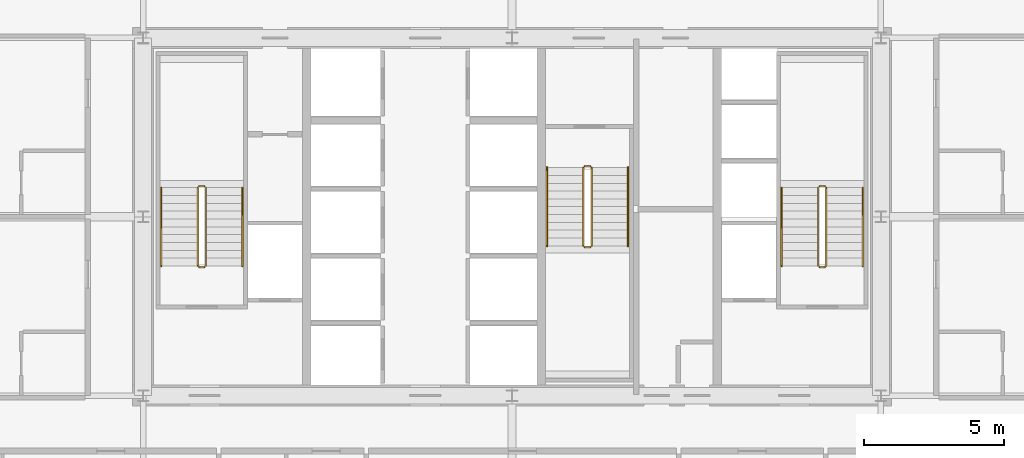
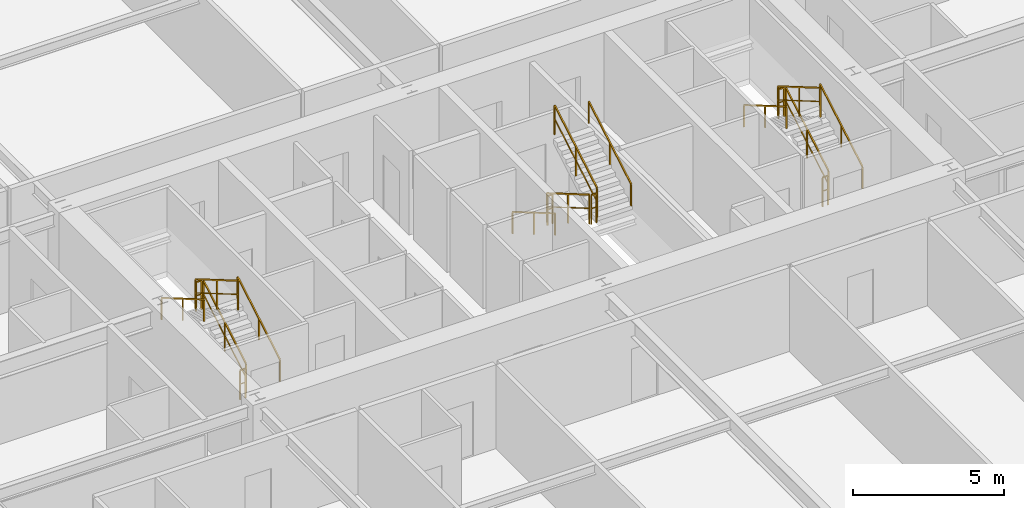
# One storey, part 39 of 39: 18 railings.
"""IFC4 building model written with IfcOpenShell, lengths in metres."""

import ifcopenshell
import ifcopenshell.guid

model = None  # the IFC model being written
_history = None  # IfcOwnerHistory: only IFC2X3 demands one
_inside = {}  # id of a spatial element -> (the spatial element, [elements in it])
_under = {}  # id of a project, library or spatial element -> (it, [spatial elements below it])
_declared = {}  # id of a project -> (the project, [libraries it declares])
_typed = {}  # id of a type object -> (the type object, [elements of that type])
_made_of = {}  # id of a material, layer set ... -> (it, [elements and type objects made of it])


def new_model(schema):
    """Start an empty IFC model of exactly this schema.

    Asked for "IFC4X3", IfcOpenShell would pick the latest addendum, in which some entities
    have other attributes; the version numbers below select the first issue.
    IFC2X3 requires an IfcOwnerHistory on every rooted entity: one is made here for all.
    """
    global model, _history
    if schema == "IFC4X3":
        model = ifcopenshell.file(schema_version=(4, 3, 0, 0))
    else:
        model = ifcopenshell.file(schema=schema)
    _inside.clear()
    _under.clear()
    _declared.clear()
    _typed.clear()
    _made_of.clear()
    _history = None
    if model.schema == "IFC2X3":
        org = make("IfcOrganization", Name="unknown")
        user = make(
            "IfcPersonAndOrganization",
            ThePerson=make("IfcPerson", FamilyName="unknown"),
            TheOrganization=org,
        )
        app = make(
            "IfcApplication",
            ApplicationDeveloper=org,
            Version="unknown",
            ApplicationFullName="unknown",
            ApplicationIdentifier="unknown",
        )
        _history = make(
            "IfcOwnerHistory",
            OwningUser=user,
            OwningApplication=app,
            ChangeAction="ADDED",
            CreationDate=0,
        )
    return model


def make(cls, **values):
    """One entity of the class cls with the attributes given. An attribute that is None is left unset."""
    return model.create_entity(
        cls, **{name: value for name, value in values.items() if value is not None}
    )


def rooted(cls, **values):
    """An entity with a GlobalId (a new one), such as an element, a storey or a relation."""
    return make(cls, GlobalId=ifcopenshell.guid.new(), OwnerHistory=_history, **values)


def si_unit(unit_type, name, prefix=None):
    """IfcSIUnit, for example si_unit("LENGTHUNIT", "METRE", prefix="MILLI")."""
    return make("IfcSIUnit", UnitType=unit_type, Prefix=prefix, Name=name)


def assignment(units):
    """IfcUnitAssignment: the units of a project."""
    return None if units is None else make("IfcUnitAssignment", Units=units)


def point(xyz):
    """IfcCartesianPoint."""
    return None if xyz is None else make("IfcCartesianPoint", Coordinates=xyz)


def direction(xyz):
    """IfcDirection."""
    return None if xyz is None else make("IfcDirection", DirectionRatios=xyz)


def frame(location, z_axis=None, x_axis=None):
    """IfcAxis2Placement3D, a coordinate frame: its origin and axes. An axis left out is left unset."""
    return make(
        "IfcAxis2Placement3D",
        Location=point(location),
        Axis=direction(z_axis),
        RefDirection=direction(x_axis),
    )


def frame_2d(location, x_axis=None):
    """IfcAxis2Placement2D, a coordinate frame in the plane: its origin and x axis."""
    return make(
        "IfcAxis2Placement2D", Location=point(location), RefDirection=direction(x_axis)
    )


def origin():
    """The frame at (0, 0, 0) with its axes left unset."""
    return frame((0.0, 0.0, 0.0))


def origin_2d():
    """The frame at (0, 0) in the plane with its x axis left unset."""
    return frame_2d((0.0, 0.0))


def place(relative_to, where):
    """IfcLocalPlacement: puts the frame where relative to a parent placement (None: the world)."""
    return make(
        "IfcLocalPlacement", PlacementRelTo=relative_to, RelativePlacement=where
    )


def context(
    kind, dimensions, precision=None, world=None, true_north=None, identifier=None
):
    """IfcGeometricRepresentationContext, for example the 3D "Model" context."""
    return make(
        "IfcGeometricRepresentationContext",
        ContextIdentifier=identifier,
        ContextType=kind,
        CoordinateSpaceDimension=dimensions,
        Precision=precision,
        WorldCoordinateSystem=world,
        TrueNorth=true_north,
    )


def subcontext(parent, identifier, kind, view, scale=None):
    """IfcGeometricRepresentationSubContext, for example "Body" below "Model"."""
    return make(
        "IfcGeometricRepresentationSubContext",
        ContextIdentifier=identifier,
        ContextType=kind,
        ParentContext=parent,
        TargetScale=scale,
        TargetView=view,
    )


def project(units=None, contexts=None):
    """IfcProject with its units and contexts."""
    return rooted(
        "IfcProject",
        Name="project",
        RepresentationContexts=contexts,
        UnitsInContext=assignment(units),
    )


def spatial(cls, under=None, at=None, **own):
    """A site, building, storey or space (cls), placed at a placement, below another one or the project."""
    s = rooted(cls, ObjectPlacement=at, **own)
    if under is not None:
        _under.setdefault(under.id(), (under, []))[1].append(s)
    return s


def profile(cls, at=None, kind="AREA", **sizes):
    """A parametric profile (cls). Its sizes go by their IFC names, for example OverallWidth=200.0."""
    return make(cls, ProfileType=kind, Position=at, **sizes)


def rectangle(**sizes):
    """IfcRectangleProfileDef."""
    return profile("IfcRectangleProfileDef", **sizes)


def extrude(swept, where, along, depth):
    """IfcExtrudedAreaSolid: the profile swept, set in the frame where, extruded along a direction by depth."""
    return make(
        "IfcExtrudedAreaSolid",
        SweptArea=swept,
        Position=where,
        ExtrudedDirection=direction(along),
        Depth=depth,
    )


def shape(context_of_items, identifier, shape_type, items):
    """IfcShapeRepresentation: the items that make up one representation, for example the "Body"."""
    return make(
        "IfcShapeRepresentation",
        ContextOfItems=context_of_items,
        RepresentationIdentifier=identifier,
        RepresentationType=shape_type,
        Items=items,
    )


def source(mapping_origin, context_of_items, identifier, shape_type, items):
    """IfcRepresentationMap: a shape defined once, which mapped items show again and again."""
    return make(
        "IfcRepresentationMap",
        MappingOrigin=mapping_origin,
        MappedRepresentation=shape(context_of_items, identifier, shape_type, items),
    )


def transform(
    local_origin,
    x_axis=None,
    y_axis=None,
    z_axis=None,
    scale=None,
    scale2=None,
    scale3=None,
    uniform=True,
):
    """IfcCartesianTransformationOperator3D, or its non-uniform kind. x_axis, y_axis, z_axis: its Axis1, 2, 3."""
    if uniform:
        return make(
            "IfcCartesianTransformationOperator3D",
            Axis1=direction(x_axis),
            Axis2=direction(y_axis),
            LocalOrigin=point(local_origin),
            Scale=scale,
            Axis3=direction(z_axis),
        )
    return make(
        "IfcCartesianTransformationOperator3DnonUniform",
        Axis1=direction(x_axis),
        Axis2=direction(y_axis),
        LocalOrigin=point(local_origin),
        Scale=scale,
        Axis3=direction(z_axis),
        Scale2=scale2,
        Scale3=scale3,
    )


def mapped(mapping_source, mapping_target):
    """IfcMappedItem: shows the shape of a source again, moved by a transform."""
    return make(
        "IfcMappedItem", MappingSource=mapping_source, MappingTarget=mapping_target
    )


def material(Name=None, Category=None):
    """IfcMaterial."""
    return make("IfcMaterial", Name=Name, Category=Category)


def layer(
    of_material, thickness, ventilated=None, Name=None, Category=None, Priority=None
):
    """IfcMaterialLayer: one layer of a wall or slab, of a material (None: an air gap)."""
    return make(
        "IfcMaterialLayer",
        Material=of_material,
        LayerThickness=thickness,
        IsVentilated=ventilated,
        Name=Name,
        Category=Category,
        Priority=Priority,
    )


def layer_set(layers, Name=None):
    """IfcMaterialLayerSet."""
    return make("IfcMaterialLayerSet", MaterialLayers=layers, LayerSetName=Name)


def made_of(thing, what):
    """Note that an element or type object is made of a material, layer set ...; save() writes the relation."""
    if what is not None:
        _made_of.setdefault(what.id(), (what, []))[1].append(thing)
    return thing


def type_object(cls, material=None, **own):
    """A type object (cls), such as IfcWallType, which elements share."""
    return made_of(rooted(cls, **own), material)


def element(
    cls,
    number,
    at=None,
    inside=None,
    cuts=None,
    type_object=None,
    material=None,
    context=None,
    identifier="Body",
    shape_type=None,
    held_by="IfcProductDefinitionShape",
    body=None,
    shapes=None,
    **own,
):
    """One element of the class cls, such as IfcWall. Its Tag is "e" and its number.

    at: its placement. inside: the storey or other place that contains it. cuts: it is an
    opening in that element (IfcRelVoidsElement). A single representation is given by context,
    identifier, shape_type and body (its items); several are given by shapes. held_by: the class
    of the entity that holds the representations. save() writes the other relations.
    """
    e = rooted(cls, Tag="e%d" % number, ObjectPlacement=at, **own)
    if body is not None:
        shapes = [shape(context, identifier, shape_type, body)]
    if shapes is not None:
        e.Representation = make(held_by, Representations=shapes)
    if inside is not None:
        _inside.setdefault(inside.id(), (inside, []))[1].append(e)
    if cuts is not None:
        rooted(
            "IfcRelVoidsElement", RelatingBuildingElement=cuts, RelatedOpeningElement=e
        )
    if type_object is not None:
        _typed.setdefault(type_object.id(), (type_object, []))[1].append(e)
    return made_of(e, material)


def aggregate(whole, parts):
    """IfcRelAggregates: a whole, such as a stair, and the parts it consists of."""
    return rooted("IfcRelAggregates", RelatingObject=whole, RelatedObjects=parts)


def save(model, path):
    """Write the relations noted so far, then the file.

    IfcRelAggregates (storeys below a building ...), IfcRelContainedInSpatialStructure (elements
    in a storey), IfcRelDefinesByType, IfcRelAssociatesMaterial and IfcRelDeclares: one each for
    every whole, place, type object, material and project.
    """
    for whole, parts in _under.values():
        aggregate(whole, parts)
    for where, things in _inside.values():
        rooted(
            "IfcRelContainedInSpatialStructure",
            RelatedElements=things,
            RelatingStructure=where,
        )
    for kind, things in _typed.values():
        rooted("IfcRelDefinesByType", RelatedObjects=things, RelatingType=kind)
    for what, things in _made_of.values():
        rooted("IfcRelAssociatesMaterial", RelatedObjects=things, RelatingMaterial=what)
    for by, libraries in _declared.values():
        rooted("IfcRelDeclares", RelatingContext=by, RelatedDefinitions=libraries)
    model.write(path)


model = new_model("IFC4")

# Units and contexts
model_context = context("Model", 3, precision=1e-05, world=origin(), true_north=direction((0.0, 1.0)))
body_context = subcontext(model_context, "Body", "Model", "MODEL_VIEW")
ifc_project = project(units=[si_unit("LENGTHUNIT", "METRE"), si_unit("AREAUNIT", "SQUARE_METRE"), si_unit("VOLUMEUNIT", "CUBIC_METRE"), si_unit("PLANEANGLEUNIT", "RADIAN"), si_unit("MASSUNIT", "GRAM", prefix="KILO"), si_unit("THERMODYNAMICTEMPERATUREUNIT", "KELVIN"), si_unit("POWERUNIT", "WATT")], contexts=[model_context])

# Site, building, storey
site_placement = place(None, origin())
site = spatial("IfcSite", under=ifc_project, at=site_placement, CompositionType="ELEMENT")
building_placement = place(site_placement, origin())
building = spatial("IfcBuilding", under=site, at=building_placement, Name="Yuzanri Waterfront Tower", CompositionType="ELEMENT")
storey_placement = place(building_placement, frame((0.0, 0.0, 134.39990234375)))
storey = spatial("IfcBuildingStorey", under=building, at=storey_placement, Name="L35", CompositionType="ELEMENT", Elevation=134.39990234375)

# Railings
ifc_material_1 = material(Name="Painted Galvanized Fire Steel", Category="steel")
ifc_layer_1 = layer(ifc_material_1, 0.06005859375)
ifc_layer_set_1 = layer_set([ifc_layer_1], Name="Painted Galvanized Fire Steel")
railing_type_1 = type_object("IfcRailingType", Name="Painted Steel Stairwell Guardrail 1120", PredefinedType="GUARDRAIL", material=ifc_layer_set_1)
shared_shape_1 = source(origin(), body_context, "Body", "SweptSolid", [
    extrude(rectangle(XDim=0.050048828125, YDim=0.050048828125, at=origin_2d()), frame((0.0, 0.0, 1.1748046875), z_axis=(-1.0, 0.0, 0.0), x_axis=(0.0, -1.0, 0.0)), (0.0, 0.0, 1.0), 0.199951171875),
    extrude(rectangle(XDim=0.035888671875, YDim=0.030029296875, at=origin_2d()), frame((0.0, 0.0, 0.6240234375), z_axis=(-1.0, 0.0, 0.0), x_axis=(0.0, -1.0, 0.0)), (0.0, 0.0, 1.0), 0.199951171875),
    extrude(rectangle(XDim=0.0458984375, YDim=0.0458984375, at=origin_2d()), origin(), (0.0, 0.0, 1.0), 1.14990234375),
    extrude(rectangle(XDim=0.0458984375, YDim=0.0458984375, at=origin_2d()), frame((-0.199951171875, 0.0, 0.0)), (0.0, 0.0, 1.0), 1.14990234375),
])
for number, where, name in (
    (1, (26.0, 26.889892578125, 1.800048828125), "L35 ST-01 stair guard 2"),
    (2, (26.0, 23.989990234375, 0.0), "L35 ST-01 stair guard 4"),
    (3, (48.199951171875, 26.889892578125, 1.800048828125), "L35 ST-02 stair guard 2"),
    (4, (48.199951171875, 23.989990234375, 0.0), "L35 ST-02 stair guard 4"),
):
    element("IfcRailing", number, at=place(storey_placement, frame(where)), inside=storey, type_object=railing_type_1, Name=name, PredefinedType="GUARDRAIL", context=body_context, shape_type="MappedRepresentation", body=[
        mapped(shared_shape_1, transform((0.0, 0.0, 0.0), scale=1.0)),
    ])
shared_shape_2 = source(origin(), body_context, "Body", "SweptSolid", [
    extrude(rectangle(XDim=0.050048828125, YDim=0.050048828125, at=origin_2d()), frame((0.0, 0.0, 1.1748046875), z_axis=(0.0, 0.863393664356, 0.504530851732), x_axis=(-1.0, 0.0, 0.0)), (0.0, 0.0, 1.0), 3.2431640625),
    extrude(rectangle(XDim=0.035888671875, YDim=0.030029296875, at=origin_2d()), frame((0.0, 0.0, 0.6240234375), z_axis=(0.0, 0.863393664356, 0.504530851732), x_axis=(-1.0, 0.0, 0.0)), (0.0, 0.0, 1.0), 3.2431640625),
    extrude(rectangle(XDim=0.0458984375, YDim=0.0458984375, at=origin_2d()), origin(), (0.0, 0.0, 1.0), 1.14990234375),
    extrude(rectangle(XDim=0.0458984375, YDim=0.0458984375, at=origin_2d()), frame((0.0, 1.39990234375, 0.818115234375)), (0.0, 0.0, 1.0), 1.14990234375),
    extrude(rectangle(XDim=0.0458984375, YDim=0.0458984375, at=origin_2d()), frame((0.0, 2.800048828125, 1.63623046875)), (0.0, 0.0, 1.0), 1.14990234375),
])
for number, where, name in (
    (5, (26.050048828125, 24.0400390625, 0.163818359375), "L35 ST-01 stair guard 1"),
    (6, (48.25, 24.0400390625, 0.163818359375), "L35 ST-02 stair guard 1"),
):
    element("IfcRailing", number, at=place(storey_placement, frame(where)), inside=storey, type_object=railing_type_1, Name=name, PredefinedType="GUARDRAIL", context=body_context, shape_type="MappedRepresentation", body=[
        mapped(shared_shape_2, transform((0.0, 0.0, 0.0), scale=1.0)),
    ])
shared_shape_3 = source(origin(), body_context, "Body", "SweptSolid", [
    extrude(rectangle(XDim=0.050048828125, YDim=0.050048828125, at=origin_2d()), frame((0.0, 0.0, 1.1748046875), z_axis=(0.0, -0.863393664356, 0.504530851732), x_axis=(1.0, 0.0, 0.0)), (0.0, 0.0, 1.0), 3.2431640625),
    extrude(rectangle(XDim=0.035888671875, YDim=0.030029296875, at=origin_2d()), frame((0.0, 0.0, 0.6240234375), z_axis=(0.0, -0.863393664356, 0.504530851732), x_axis=(1.0, 0.0, 0.0)), (0.0, 0.0, 1.0), 3.2431640625),
    extrude(rectangle(XDim=0.0458984375, YDim=0.0458984375, at=origin_2d()), origin(), (0.0, 0.0, 1.0), 1.14990234375),
    extrude(rectangle(XDim=0.0458984375, YDim=0.0458984375, at=origin_2d()), frame((0.0, -1.39990234375, 0.818115234375)), (0.0, 0.0, 1.0), 1.14990234375),
    extrude(rectangle(XDim=0.0458984375, YDim=0.0458984375, at=origin_2d()), frame((0.0, -2.800048828125, 1.63623046875)), (0.0, 0.0, 1.0), 1.14990234375),
])
railing_1_placement = place(storey_placement, frame((39.550048828125, 27.56005859375, 0.163818359375)))
element("IfcRailing", 7, at=railing_1_placement, inside=storey, type_object=railing_type_1, Name="L35 ST-03 stair guard 1", PredefinedType="GUARDRAIL", context=body_context, shape_type="MappedRepresentation", body=[
    mapped(shared_shape_3, transform((0.0, 0.0, 0.0), scale=1.0)),
])
ifc_material_2 = material(Name="Anodized Architectural Bronze", Category="metal")
ifc_layer_2 = layer(ifc_material_2, 0.050048828125)
ifc_layer_set_2 = layer_set([ifc_layer_2], Name="Anodized Architectural Bronze")
railing_type_2 = type_object("IfcRailingType", Name="Brushed Bronze Stair Pitch Handrail 920", PredefinedType="HANDRAIL", material=ifc_layer_set_2)
shared_shape_4 = source(origin(), body_context, "Body", "SweptSolid", [
    extrude(rectangle(XDim=0.050048828125, YDim=0.050048828125, at=origin_2d()), frame((0.0, 0.0, 0.875), z_axis=(0.0, 0.863393664356, 0.504530851732), x_axis=(-1.0, 0.0, 0.0)), (0.0, 0.0, 1.0), 3.2431640625),
    extrude(rectangle(XDim=0.0458984375, YDim=0.0458984375, at=origin_2d()), origin(), (0.0, 0.0, 1.0), 0.849853515625),
    extrude(rectangle(XDim=0.0458984375, YDim=0.0458984375, at=origin_2d()), frame((0.0, 1.39990234375, 0.818115234375)), (0.0, 0.0, 1.0), 0.849853515625),
    extrude(rectangle(XDim=0.0458984375, YDim=0.0458984375, at=origin_2d()), frame((0.0, 2.800048828125, 1.63623046875)), (0.0, 0.0, 1.0), 0.849853515625),
])
for number, where, name in (
    (8, (27.35009765625, 24.0400390625, 0.163818359375), "L35 ST-01 stair handrail 1"),
    (9, (49.550048828125, 24.0400390625, 0.163818359375), "L35 ST-02 stair handrail 1"),
):
    element("IfcRailing", number, at=place(storey_placement, frame(where)), inside=storey, type_object=railing_type_2, Name=name, PredefinedType="HANDRAIL", context=body_context, shape_type="MappedRepresentation", body=[
        mapped(shared_shape_4, transform((0.0, 0.0, 0.0), scale=1.0)),
    ])
shared_shape_5 = source(origin(), body_context, "Body", "SweptSolid", [
    extrude(rectangle(XDim=0.050048828125, YDim=0.050048828125, at=origin_2d()), frame((0.0, 0.0, 0.875), z_axis=(0.0, -0.863393664356, 0.504530851732), x_axis=(1.0, 0.0, 0.0)), (0.0, 0.0, 1.0), 3.2431640625),
    extrude(rectangle(XDim=0.0458984375, YDim=0.0458984375, at=origin_2d()), origin(), (0.0, 0.0, 1.0), 0.849853515625),
    extrude(rectangle(XDim=0.0458984375, YDim=0.0458984375, at=origin_2d()), frame((0.0, -1.39990234375, 0.818115234375)), (0.0, 0.0, 1.0), 0.849853515625),
    extrude(rectangle(XDim=0.0458984375, YDim=0.0458984375, at=origin_2d()), frame((0.0, -2.800048828125, 1.63623046875)), (0.0, 0.0, 1.0), 0.849853515625),
])
railing_2_placement = place(storey_placement, frame((38.25, 27.56005859375, 0.163818359375)))
element("IfcRailing", 10, at=railing_2_placement, inside=storey, type_object=railing_type_2, Name="L35 ST-03 stair handrail 1", PredefinedType="HANDRAIL", context=body_context, shape_type="MappedRepresentation", body=[
    mapped(shared_shape_5, transform((0.0, 0.0, 0.0), scale=1.0)),
])
shared_shape_6 = source(origin(), body_context, "Body", "SweptSolid", [
    extrude(rectangle(XDim=0.050048828125, YDim=0.050048828125, at=origin_2d()), frame((0.0, 0.0, 1.1748046875), z_axis=(0.0, 0.863360870873, 0.504586966384), x_axis=(-1.0, 0.0, 0.0)), (0.0, 0.0, 1.0), 3.2431640625),
    extrude(rectangle(XDim=0.035888671875, YDim=0.030029296875, at=origin_2d()), frame((0.0, 0.0, 0.6240234375), z_axis=(0.0, 0.863360870873, 0.504586966384), x_axis=(-1.0, 0.0, 0.0)), (0.0, 0.0, 1.0), 3.2431640625),
    extrude(rectangle(XDim=0.0458984375, YDim=0.0458984375, at=origin_2d()), origin(), (0.0, 0.0, 1.0), 1.14990234375),
    extrude(rectangle(XDim=0.0458984375, YDim=0.0458984375, at=origin_2d()), frame((0.0, 1.39990234375, 0.818359375)), (0.0, 0.0, 1.0), 1.14990234375),
    extrude(rectangle(XDim=0.0458984375, YDim=0.0458984375, at=origin_2d()), frame((0.0, 2.800048828125, 1.636474609375)), (0.0, 0.0, 1.0), 1.14990234375),
])
railing_3_placement = place(storey_placement, frame((39.85009765625, 24.760009765625, 1.963623046875)))
element("IfcRailing", 11, at=railing_3_placement, inside=storey, type_object=railing_type_1, Name="L35 ST-03 stair guard 3", PredefinedType="GUARDRAIL", context=body_context, shape_type="MappedRepresentation", body=[
    mapped(shared_shape_6, transform((0.0, 0.0, 0.0), scale=1.0)),
])
shared_shape_7 = source(origin(), body_context, "Body", "SweptSolid", [
    extrude(rectangle(XDim=0.050048828125, YDim=0.050048828125, at=origin_2d()), frame((0.0, 0.0, 1.1748046875), z_axis=(0.0, -0.863360870873, 0.504586966384), x_axis=(1.0, 0.0, 0.0)), (0.0, 0.0, 1.0), 3.2431640625),
    extrude(rectangle(XDim=0.035888671875, YDim=0.030029296875, at=origin_2d()), frame((0.0, 0.0, 0.6240234375), z_axis=(0.0, -0.863360870873, 0.504586966384), x_axis=(1.0, 0.0, 0.0)), (0.0, 0.0, 1.0), 3.2431640625),
    extrude(rectangle(XDim=0.0458984375, YDim=0.0458984375, at=origin_2d()), origin(), (0.0, 0.0, 1.0), 1.14990234375),
    extrude(rectangle(XDim=0.0458984375, YDim=0.0458984375, at=origin_2d()), frame((0.0, -1.39990234375, 0.818359375)), (0.0, 0.0, 1.0), 1.14990234375),
    extrude(rectangle(XDim=0.0458984375, YDim=0.0458984375, at=origin_2d()), frame((0.0, -2.800048828125, 1.636474609375)), (0.0, 0.0, 1.0), 1.14990234375),
])
for number, where, name in (
    (12, (25.75, 26.840087890625, 1.963623046875), "L35 ST-01 stair guard 3"),
    (13, (47.949951171875, 26.840087890625, 1.963623046875), "L35 ST-02 stair guard 3"),
):
    element("IfcRailing", number, at=place(storey_placement, frame(where)), inside=storey, type_object=railing_type_1, Name=name, PredefinedType="GUARDRAIL", context=body_context, shape_type="MappedRepresentation", body=[
        mapped(shared_shape_7, transform((0.0, 0.0, 0.0), scale=1.0)),
    ])
shared_shape_8 = source(origin(), body_context, "Body", "SweptSolid", [
    extrude(rectangle(XDim=0.050048828125, YDim=0.050048828125, at=origin_2d()), frame((0.0, 0.0, 0.875), z_axis=(0.0, 0.863360870873, 0.504586966384), x_axis=(-1.0, 0.0, 0.0)), (0.0, 0.0, 1.0), 3.2431640625),
    extrude(rectangle(XDim=0.0458984375, YDim=0.0458984375, at=origin_2d()), origin(), (0.0, 0.0, 1.0), 0.849853515625),
    extrude(rectangle(XDim=0.0458984375, YDim=0.0458984375, at=origin_2d()), frame((0.0, 1.39990234375, 0.818359375)), (0.0, 0.0, 1.0), 0.849853515625),
    extrude(rectangle(XDim=0.0458984375, YDim=0.0458984375, at=origin_2d()), frame((0.0, 2.800048828125, 1.636474609375)), (0.0, 0.0, 1.0), 0.849853515625),
])
railing_4_placement = place(storey_placement, frame((41.14990234375, 24.760009765625, 1.963623046875)))
element("IfcRailing", 14, at=railing_4_placement, inside=storey, type_object=railing_type_2, Name="L35 ST-03 stair handrail 2", PredefinedType="HANDRAIL", context=body_context, shape_type="MappedRepresentation", body=[
    mapped(shared_shape_8, transform((0.0, 0.0, 0.0), scale=1.0)),
])
shared_shape_9 = source(origin(), body_context, "Body", "SweptSolid", [
    extrude(rectangle(XDim=0.050048828125, YDim=0.050048828125, at=origin_2d()), frame((0.0, 0.0, 0.875), z_axis=(0.0, -0.863360870873, 0.504586966384), x_axis=(1.0, 0.0, 0.0)), (0.0, 0.0, 1.0), 3.2431640625),
    extrude(rectangle(XDim=0.0458984375, YDim=0.0458984375, at=origin_2d()), origin(), (0.0, 0.0, 1.0), 0.849853515625),
    extrude(rectangle(XDim=0.0458984375, YDim=0.0458984375, at=origin_2d()), frame((0.0, -1.39990234375, 0.818359375)), (0.0, 0.0, 1.0), 0.849853515625),
    extrude(rectangle(XDim=0.0458984375, YDim=0.0458984375, at=origin_2d()), frame((0.0, -2.800048828125, 1.636474609375)), (0.0, 0.0, 1.0), 0.849853515625),
])
for number, where, name in (
    (15, (24.449951171875, 26.840087890625, 1.963623046875), "L35 ST-01 stair handrail 2"),
    (16, (46.64990234375, 26.840087890625, 1.963623046875), "L35 ST-02 stair handrail 2"),
):
    element("IfcRailing", number, at=place(storey_placement, frame(where)), inside=storey, type_object=railing_type_2, Name=name, PredefinedType="HANDRAIL", context=body_context, shape_type="MappedRepresentation", body=[
        mapped(shared_shape_9, transform((0.0, 0.0, 0.0), scale=1.0)),
    ])
shared_shape_10 = source(origin(), body_context, "Body", "SweptSolid", [
    extrude(rectangle(XDim=0.050048828125, YDim=0.050048828125, at=origin_2d()), frame((0.0, 0.0, 1.1748046875), z_axis=(1.0, 0.0, 0.0), x_axis=(0.0, 1.0, 0.0)), (0.0, 0.0, 1.0), 0.199951171875),
    extrude(rectangle(XDim=0.035888671875, YDim=0.030029296875, at=origin_2d()), frame((0.0, 0.0, 0.6240234375), z_axis=(1.0, 0.0, 0.0), x_axis=(0.0, 1.0, 0.0)), (0.0, 0.0, 1.0), 0.199951171875),
    extrude(rectangle(XDim=0.0458984375, YDim=0.0458984375, at=origin_2d()), origin(), (0.0, 0.0, 1.0), 1.14990234375),
    extrude(rectangle(XDim=0.0458984375, YDim=0.0458984375, at=origin_2d()), frame((0.199951171875, 0.0, 0.0)), (0.0, 0.0, 1.0), 1.14990234375),
])
for number, where, name in (
    (17, (39.60009765625, 24.7099609375, 1.800048828125), "L35 ST-03 stair guard 2"),
    (18, (39.60009765625, 27.610107421875, 0.0), "L35 ST-03 stair guard 4"),
):
    element("IfcRailing", number, at=place(storey_placement, frame(where)), inside=storey, type_object=railing_type_1, Name=name, PredefinedType="GUARDRAIL", context=body_context, shape_type="MappedRepresentation", body=[
        mapped(shared_shape_10, transform((0.0, 0.0, 0.0), scale=1.0)),
    ])

save(model, "model.ifc")
